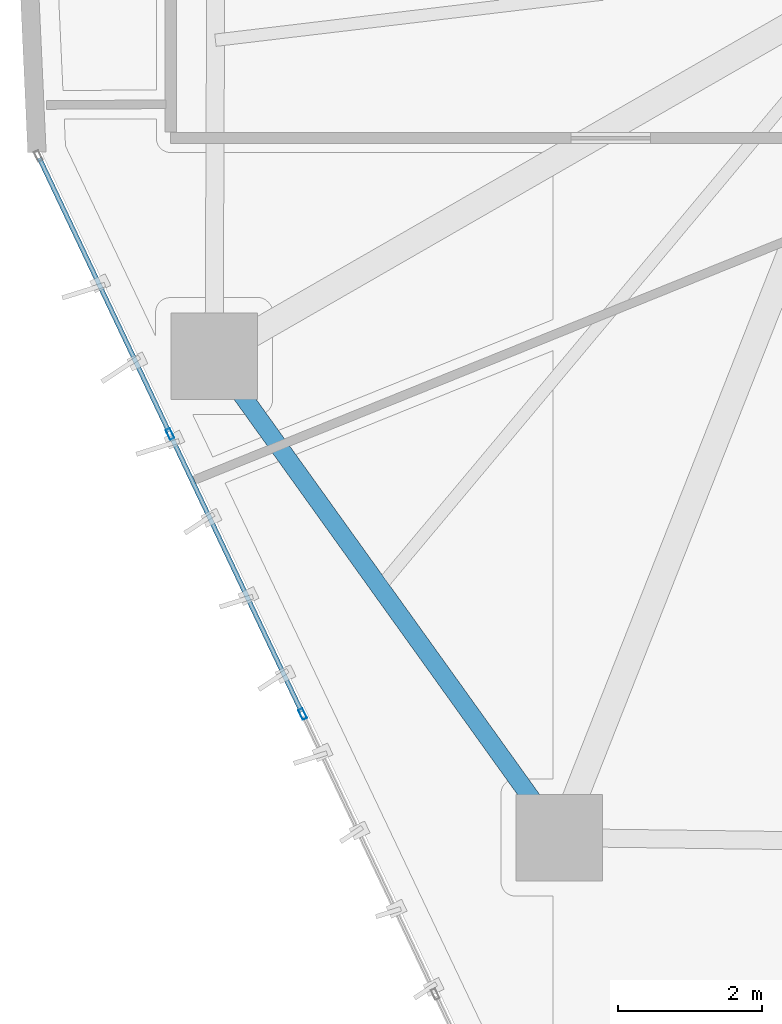
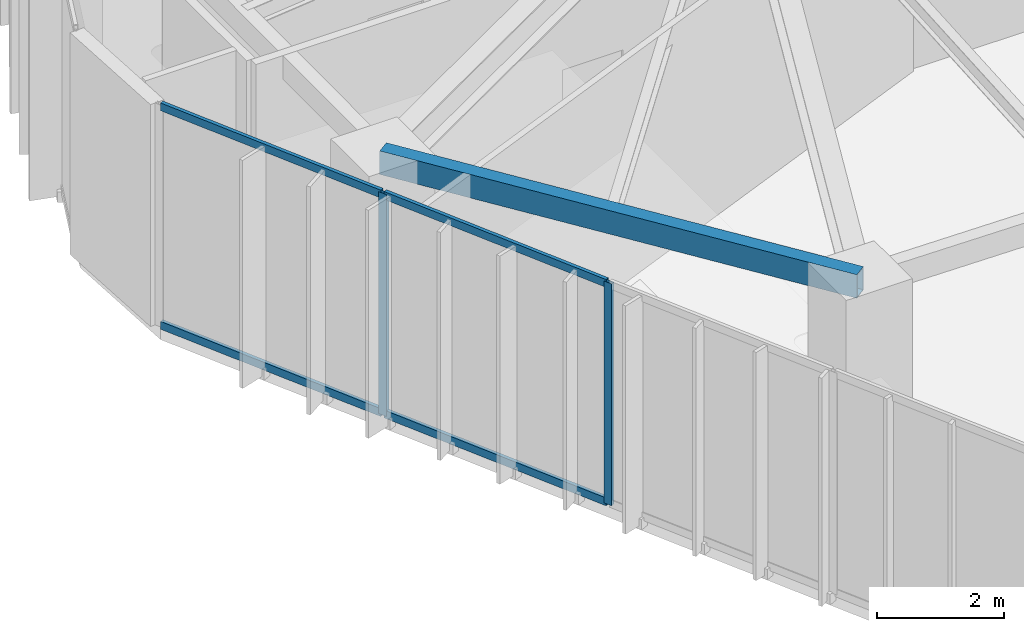
# One storey, part 4 of 28: 6 members, 1 beam, 1 element without a shape of its own.
"""IFC4 building model written with IfcOpenShell, lengths in metres."""

from ifc_helpers import new_model, si_unit, direction, frame, origin, origin_2d, place, context, subcontext, project, spatial, hollow_rectangle, extrude, source, transform, mapped, material, layer, layer_set, material_profile, profile_set, type_object, type_shapes, element, aggregate, save


model = new_model("IFC4")

# Units and contexts
model_context = context("Model", 3, precision=1e-05, world=origin(), true_north=direction((0.0, 1.0)))
body_context = subcontext(model_context, "Body", "Model", "MODEL_VIEW")
ifc_project = project(units=[si_unit("LENGTHUNIT", "METRE"), si_unit("AREAUNIT", "SQUARE_METRE"), si_unit("VOLUMEUNIT", "CUBIC_METRE"), si_unit("PLANEANGLEUNIT", "RADIAN"), si_unit("MASSUNIT", "GRAM", prefix="KILO")], contexts=[model_context])

# Site, building, storey
site_placement = place(None, origin())
site = spatial("IfcSite", under=ifc_project, at=site_placement, CompositionType="ELEMENT")
building_placement = place(site_placement, origin())
building = spatial("IfcBuilding", under=site, at=building_placement, Name="Talar Marvaseh", CompositionType="ELEMENT")
storey_placement = place(building_placement, frame((0.0, 0.0, 157.800048828125)))
storey = spatial("IfcBuildingStorey", under=building, at=storey_placement, Name="L41", CompositionType="ELEMENT", Elevation=157.800048828125)

# Beam
ifc_material_1 = material(Name="Steel S355", Category="steel")
ifc_material_profile_1 = material_profile(ifc_material_1, hollow_rectangle(XDim=0.25, YDim=0.449951171875, WallThickness=0.01611328125, at=origin_2d()), Name="RHS450x250x16")
ifc_profile_set_1 = profile_set([ifc_material_profile_1], Name="Steel S355")
beam_type = type_object("IfcBeamType", Name="Zone 2 Perimeter Spandrel Beam RHS450x250x16", PredefinedType="SPANDREL", material=ifc_profile_set_1)
beam_placement = place(storey_placement, frame((13.89111328125, 13.299072265625, 4.02490234375), z_axis=(-0.582852871994, 0.812577706812, 0.0), x_axis=(-0.812577706812, -0.582852871994, 0.0)))
element("IfcBeam", 1, at=beam_placement, inside=storey, type_object=beam_type, Name="L41 Zone 2 Perimeter Spandrel Beam RHS450x250x16", PredefinedType="SPANDREL", context=body_context, shape_type="SweptSolid", body=[
    extrude(hollow_rectangle(XDim=0.25, YDim=0.449951171875, WallThickness=0.01611328125, at=origin_2d()), origin(), (0.0, 0.0, 1.0), 8.21826171875),
])

# Curtain wall, members
ifc_material_2 = material(Name="Architectural Aluminium", Category="aluminium")
ifc_layer = layer(ifc_material_2, 0.239990234375)
ifc_layer_set = layer_set([ifc_layer], Name="Architectural Aluminium")
curtain_wall_type = type_object("IfcCurtainWallType", Name="Observation Sky Gallery Structural Glass Wall", PredefinedType="NOTDEFINED", material=ifc_layer_set)
curtain_wall_placement = place(storey_placement, origin())
curtain_wall = element("IfcCurtainWall", 2, at=curtain_wall_placement, inside=storey, type_object=curtain_wall_type, Name="L41 Observation Sky Gallery Structural Glass Wall", PredefinedType="NOTDEFINED")
ifc_material_profile_2 = material_profile(ifc_material_2, hollow_rectangle(XDim=0.06494140625, YDim=0.14990234375, WallThickness=0.00390625, at=origin_2d()), Name="RHS150x65x4")
ifc_profile_set_2 = profile_set([ifc_material_profile_2], Name="Architectural Aluminium")
member_type_1 = type_object("IfcMemberType", Name="Unitised Curtain Wall Slim Mullion RHS150x65x4", PredefinedType="MULLION", material=ifc_profile_set_2)
shared_shape_1 = source(origin(), body_context, "Body", "SweptSolid", [
    extrude(hollow_rectangle(XDim=0.06494140625, YDim=0.14990234375, WallThickness=0.00390625, at=origin_2d()), origin(), (0.0, 0.0, 1.0), 4.25),
])
type_shapes(member_type_1, [shared_shape_1])
member_1_placement = place(storey_placement, frame((10.32958984375, 15.012939453125, 0.0), z_axis=(0.0, 0.0, 1.0), x_axis=(-0.903736536028, -0.428089095221, 0.0)))
member_1 = element("IfcMember", 3, at=member_1_placement, type_object=member_type_1, Name="CW-OBS mullion 3", PredefinedType="MULLION", context=body_context, shape_type="MappedRepresentation", body=[
    mapped(shared_shape_1, transform((0.0, 0.0, 0.0), x_axis=(1.0, 0.0, 0.0), y_axis=(0.0, 1.0, 0.0), z_axis=(0.0, 0.0, 1.0), scale=1.0)),
])
member_2_placement = place(storey_placement, frame((8.48974609375, 18.89697265625, 0.0), z_axis=(0.0, 0.0, 1.0), x_axis=(-0.903736536028, -0.428089095221, 0.0)))
member_2 = element("IfcMember", 4, at=member_2_placement, type_object=member_type_1, Name="CW-OBS mullion 4", PredefinedType="MULLION", context=body_context, shape_type="MappedRepresentation", body=[
    mapped(shared_shape_1, transform((0.0, 0.0, 0.0), x_axis=(1.0, 0.0, 0.0), y_axis=(0.0, 1.0, 0.0), z_axis=(0.0, 0.0, 1.0), scale=1.0)),
])
ifc_material_profile_3 = material_profile(ifc_material_2, hollow_rectangle(XDim=0.06494140625, YDim=0.14990234375, WallThickness=0.00390625, at=origin_2d()), Name="RHS150x65x4")
ifc_profile_set_3 = profile_set([ifc_material_profile_3], Name="Architectural Aluminium")
member_type_2 = type_object("IfcMemberType", Name="Unitised Curtain Wall Slim Transom RHS150x65x4", PredefinedType="USERDEFINED", material=ifc_profile_set_3)
shared_shape_2 = source(origin(), body_context, "Body", "SweptSolid", [
    extrude(hollow_rectangle(XDim=0.06494140625, YDim=0.14990234375, WallThickness=0.00390625, at=origin_2d()), origin(), (0.0, 0.0, 1.0), 4.23291015625),
])
member_3_placement = place(storey_placement, frame((10.315673828125, 15.042236328125, 0.032470703125), z_axis=(-0.428078906737, 0.90374136212, 0.0), x_axis=(-0.90374136212, -0.428078906737, 0.0)))
member_3 = element("IfcMember", 5, at=member_3_placement, type_object=member_type_2, Name="CW-OBS transom 3.1", ObjectType="TRANSOM", PredefinedType="USERDEFINED", context=body_context, shape_type="MappedRepresentation", body=[
    mapped(shared_shape_2, transform((0.0, 0.0, 0.0), x_axis=(1.0, 0.0, 0.0), y_axis=(0.0, 1.0, 0.0), z_axis=(0.0, 0.0, 1.0), scale=1.0)),
])
member_4_placement = place(storey_placement, frame((10.315673828125, 15.042236328125, 4.217529296875), z_axis=(-0.428078906737, 0.90374136212, 0.0), x_axis=(-0.90374136212, -0.428078906737, 0.0)))
member_4 = element("IfcMember", 6, at=member_4_placement, type_object=member_type_2, Name="CW-OBS transom 3.2", ObjectType="TRANSOM", PredefinedType="USERDEFINED", context=body_context, shape_type="MappedRepresentation", body=[
    mapped(shared_shape_2, transform((0.0, 0.0, 0.0), x_axis=(1.0, 0.0, 0.0), y_axis=(0.0, 1.0, 0.0), z_axis=(0.0, 0.0, 1.0), scale=1.0)),
])
shared_shape_3 = source(origin(), body_context, "Body", "SweptSolid", [
    extrude(hollow_rectangle(XDim=0.06494140625, YDim=0.14990234375, WallThickness=0.00390625, at=origin_2d()), origin(), (0.0, 0.0, 1.0), 4.2001953125),
])
type_shapes(member_type_2, [shared_shape_2, shared_shape_3])
member_5_placement = place(storey_placement, frame((8.475830078125, 18.926513671875, 0.032470703125), z_axis=(-0.428093840539, 0.903734288214, 0.0), x_axis=(-0.903734288214, -0.428093840539, 0.0)))
member_5 = element("IfcMember", 7, at=member_5_placement, type_object=member_type_2, Name="CW-OBS transom 4.1", ObjectType="TRANSOM", PredefinedType="USERDEFINED", context=body_context, shape_type="MappedRepresentation", body=[
    mapped(shared_shape_3, transform((0.0, 0.0, 0.0), x_axis=(1.0, 0.0, 0.0), y_axis=(0.0, 1.0, 0.0), z_axis=(0.0, 0.0, 1.0), scale=1.0)),
])
member_6_placement = place(storey_placement, frame((8.475830078125, 18.926513671875, 4.217529296875), z_axis=(-0.428093840539, 0.903734288214, 0.0), x_axis=(-0.903734288214, -0.428093840539, 0.0)))
member_6 = element("IfcMember", 8, at=member_6_placement, type_object=member_type_2, Name="CW-OBS transom 4.2", ObjectType="TRANSOM", PredefinedType="USERDEFINED", context=body_context, shape_type="MappedRepresentation", body=[
    mapped(shared_shape_3, transform((0.0, 0.0, 0.0), x_axis=(1.0, 0.0, 0.0), y_axis=(0.0, 1.0, 0.0), z_axis=(0.0, 0.0, 1.0), scale=1.0)),
])
aggregate(curtain_wall, [member_1, member_2, member_3, member_4, member_5, member_6])

save(model, "model.ifc")
